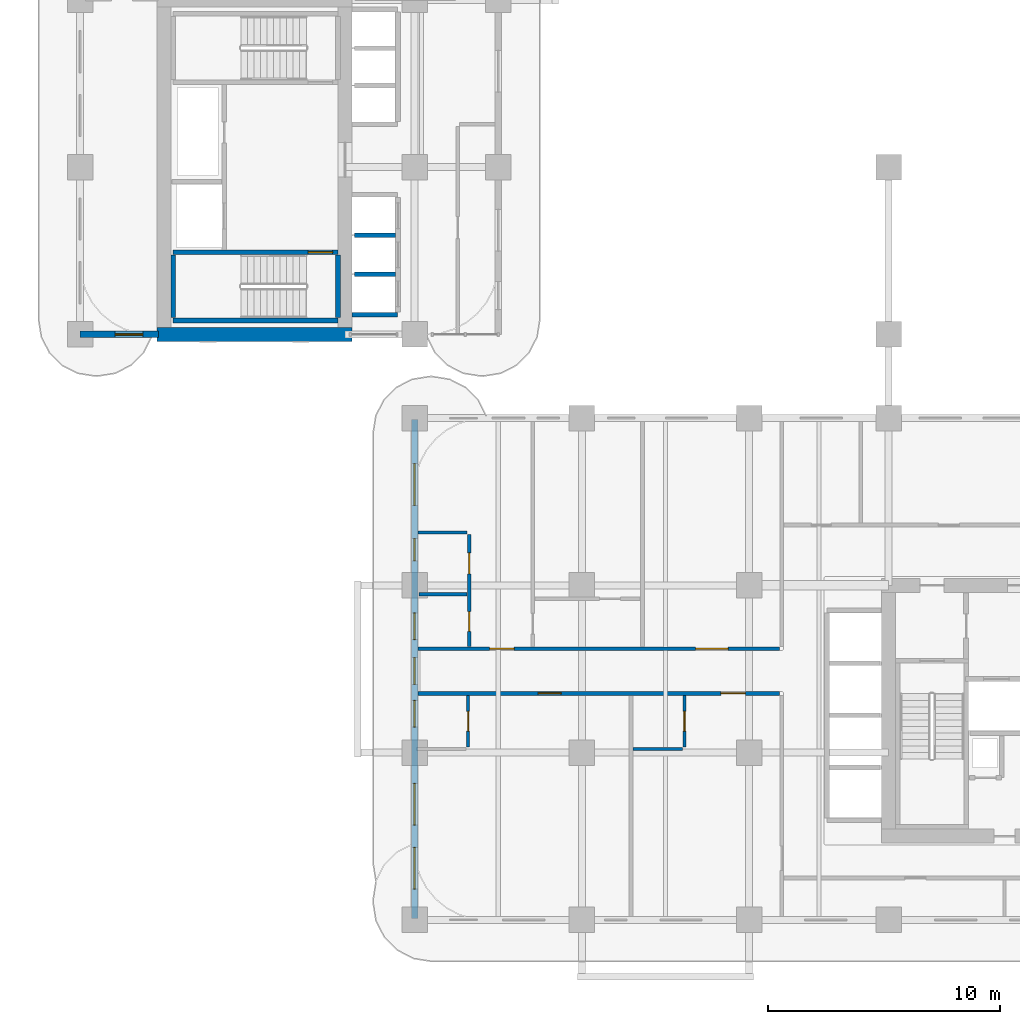
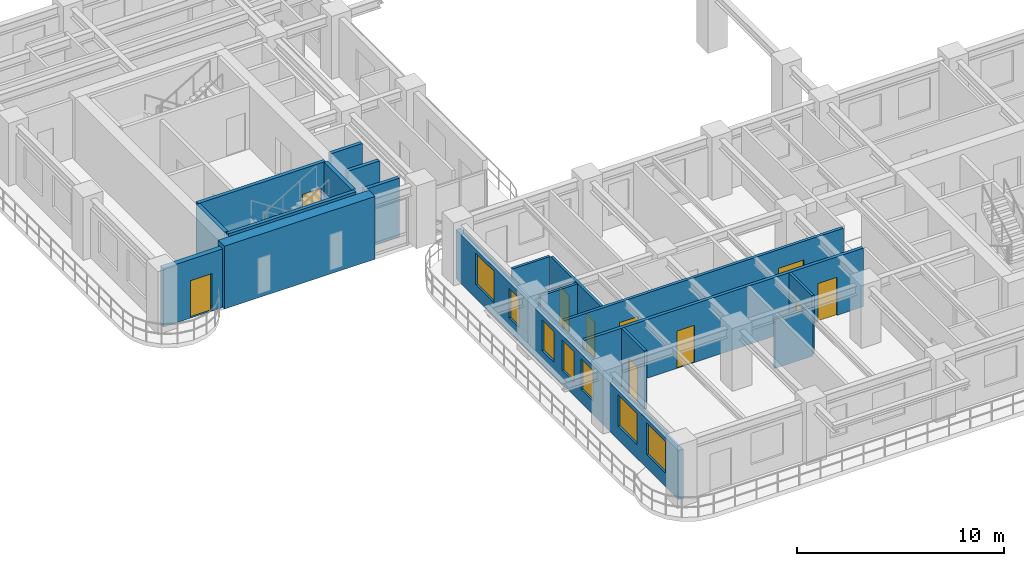
# One storey, part 6 of 19: 18 walls, 10 doors, 7 windows, 17 openings.
"""IFC4 building model written with IfcOpenShell, lengths in metres."""

from ifc_helpers import new_model, si_unit, derived_unit, direction, frame, frame_2d, origin, place, context, subcontext, project, spatial, rectangle, extrude, source, transform, mapped, material, layer, layer_set, type_object, type_shapes, element, fill, save


model = new_model("IFC4")

# Units and contexts
model_context = context("Model", 3, precision=1e-05, world=origin(), true_north=direction((0.0, 1.0)))
body_context = subcontext(model_context, "Body", "Model", "MODEL_VIEW")
ifc_project = project(units=[si_unit("LENGTHUNIT", "METRE"), si_unit("AREAUNIT", "SQUARE_METRE"), si_unit("VOLUMEUNIT", "CUBIC_METRE"), si_unit("PLANEANGLEUNIT", "RADIAN"), si_unit("MASSUNIT", "GRAM", prefix="KILO"), si_unit("THERMODYNAMICTEMPERATUREUNIT", "KELVIN"), si_unit("POWERUNIT", "WATT"), derived_unit("THERMALTRANSMITTANCEUNIT", [(si_unit("POWERUNIT", "WATT"), 1), (si_unit("AREAUNIT", "SQUARE_METRE"), -1), (si_unit("THERMODYNAMICTEMPERATUREUNIT", "KELVIN"), -1)])], contexts=[model_context])

# Site, building, storey
site_placement = place(None, origin())
site = spatial("IfcSite", under=ifc_project, at=site_placement, CompositionType="ELEMENT")
building_placement = place(site_placement, origin())
building = spatial("IfcBuilding", under=site, at=building_placement, Name="Zahravan Archway Hotel and Residences", CompositionType="ELEMENT")
storey_placement = place(building_placement, frame((0.0, 0.0, 43.5)))
storey = spatial("IfcBuildingStorey", under=building, at=storey_placement, Name="L09", CompositionType="ELEMENT", Elevation=43.5)

# Wall
ifc_material_1 = material(Name="Concrete C70/85", Category="concrete")
ifc_layer_1 = layer(ifc_material_1, 0.60009765625, Name="Concrete C70/85", Category="concrete")
ifc_layer_set_1 = layer_set([ifc_layer_1], Name="Concrete C70/85")
wall_type_1 = type_object("IfcWallType", Name="CW-CORE-600", PredefinedType="SHEAR", material=ifc_layer_set_1)
wall_1_placement = place(storey_placement, frame((3.300048828125, 25.199951171875, 0.0), z_axis=(0.0, 0.0, 1.0), x_axis=(1.0, 0.0, 0.0)))
element("IfcWall", 1, at=wall_1_placement, inside=storey, type_object=wall_type_1, Name="L09 Core B Shear S Wall 600 mm", PredefinedType="SHEAR", context=body_context, shape_type="SweptSolid", body=[
    extrude(rectangle(XDim=8.39990234375, YDim=0.60009765625, at=frame_2d((4.199951171875, 0.0))), origin(), (0.0, 0.0, 1.0), 3.699951171875),
])

# Wall, openings, windows
ifc_material_2 = material(Name="Honed Red-Ochre Sandstone & Insulated Block", Category="masonry")
ifc_layer_2 = layer(ifc_material_2, 0.280029296875, Name="Honed Red-Ochre Sandstone & Insulated Block", Category="masonry")
ifc_layer_set_2 = layer_set([ifc_layer_2], Name="Honed Red-Ochre Sandstone & Insulated Block")
wall_type_2 = type_object("IfcWallType", Name="EW-LOG-280", PredefinedType="SOLIDWALL", material=ifc_layer_set_2)
wall_2_placement = place(storey_placement, frame((14.39990234375, 0.050048828125, 0.0), z_axis=(0.0, 0.0, 1.0), x_axis=(0.0, 1.0, 0.0)))
wall_2 = element("IfcWall", 2, at=wall_2_placement, inside=storey, type_object=wall_type_2, Name="L09 Exterior Sandstone Wall WA-W", PredefinedType="SOLIDWALL", context=body_context, shape_type="SweptSolid", body=[
    extrude(rectangle(XDim=21.5, YDim=0.280029296875, at=frame_2d((10.75, 0.0))), origin(), (0.0, 0.0, 1.0), 2.885009765625),
])
opening_1_placement = place(wall_2_placement, frame((1.27490234375, 0.0, 0.800048828125)))
opening_1 = element("IfcOpeningElement", 3, at=opening_1_placement, cuts=wall_2, Name="Opening W-02", PredefinedType="OPENING", context=body_context, shape_type="SweptSolid", body=[
    extrude(rectangle(XDim=1.800048828125, YDim=1.85009765625, at=frame_2d((0.89990234375, 0.925048828125))), frame((0.0, 0.14990234375, 0.0), z_axis=(0.0, -1.0, 0.0), x_axis=(1.0, 0.0, 0.0)), (0.0, 0.0, 1.0), 0.300048828125),
])
opening_2_placement = place(wall_2_placement, frame((4.02490234375, 0.0, 0.800048828125)))
opening_2 = element("IfcOpeningElement", 4, at=opening_2_placement, cuts=wall_2, Name="Opening W-02", PredefinedType="OPENING", context=body_context, shape_type="SweptSolid", body=[
    extrude(rectangle(XDim=1.800048828125, YDim=1.85009765625, at=frame_2d((0.89990234375, 0.925048828125))), frame((0.0, 0.14990234375, 0.0), z_axis=(0.0, -1.0, 0.0), x_axis=(1.0, 0.0, 0.0)), (0.0, 0.0, 1.0), 0.300048828125),
])
opening_3_placement = place(wall_2_placement, frame((8.24609375, 0.0, 0.800048828125)))
opening_3 = element("IfcOpeningElement", 5, at=opening_3_placement, cuts=wall_2, Name="Opening W-05", PredefinedType="OPENING", context=body_context, shape_type="SweptSolid", body=[
    extrude(rectangle(XDim=1.14990234375, YDim=1.800048828125, at=frame_2d((0.574951171875, 0.89990234375))), frame((0.0, 0.14990234375, 0.0), z_axis=(0.0, -1.0, 0.0), x_axis=(1.0, 0.0, 0.0)), (0.0, 0.0, 1.0), 0.300048828125),
])
opening_4_placement = place(wall_2_placement, frame((10.0849609375, 0.0, 0.800048828125)))
opening_4 = element("IfcOpeningElement", 6, at=opening_4_placement, cuts=wall_2, Name="Opening W-05", PredefinedType="OPENING", context=body_context, shape_type="SweptSolid", body=[
    extrude(rectangle(XDim=1.14990234375, YDim=1.800048828125, at=frame_2d((0.574951171875, 0.89990234375))), frame((0.0, 0.14990234375, 0.0), z_axis=(0.0, -1.0, 0.0), x_axis=(1.0, 0.0, 0.0)), (0.0, 0.0, 1.0), 0.300048828125),
])
opening_5_placement = place(wall_2_placement, frame((12.013916015625, 0.0, 0.800048828125)))
opening_5 = element("IfcOpeningElement", 7, at=opening_5_placement, cuts=wall_2, Name="Opening W-05", PredefinedType="OPENING", context=body_context, shape_type="SweptSolid", body=[
    extrude(rectangle(XDim=1.14990234375, YDim=1.800048828125, at=frame_2d((0.574951171875, 0.89990234375))), frame((0.0, 0.14990234375, 0.0), z_axis=(0.0, -1.0, 0.0), x_axis=(1.0, 0.0, 0.0)), (0.0, 0.0, 1.0), 0.300048828125),
])
opening_6_placement = place(wall_2_placement, frame((15.406005859375, 0.0, 0.800048828125)))
opening_6 = element("IfcOpeningElement", 8, at=opening_6_placement, cuts=wall_2, Name="Opening W-04", PredefinedType="OPENING", context=body_context, shape_type="SweptSolid", body=[
    extrude(rectangle(XDim=0.949951171875, YDim=1.75, at=frame_2d((0.47509765625, 0.875))), frame((0.0, 0.14990234375, 0.0), z_axis=(0.0, -1.0, 0.0), x_axis=(1.0, 0.0, 0.0)), (0.0, 0.0, 1.0), 0.300048828125),
])
opening_7_placement = place(wall_2_placement, frame((17.7890625, 0.0, 0.800048828125)))
opening_7 = element("IfcOpeningElement", 9, at=opening_7_placement, cuts=wall_2, Name="Opening W-02", PredefinedType="OPENING", context=body_context, shape_type="SweptSolid", body=[
    extrude(rectangle(XDim=1.800048828125, YDim=1.85009765625, at=frame_2d((0.89990234375, 0.925048828125))), frame((0.0, 0.14990234375, 0.0), z_axis=(0.0, -1.0, 0.0), x_axis=(1.0, 0.0, 0.0)), (0.0, 0.0, 1.0), 0.300048828125),
])
ifc_material_3 = material(Name="Bronze-Anodized Thermal-Break Aluminium & Low-E Glass", Category="aluminium")
window_type_1 = type_object("IfcWindowType", Name="WIN-NAR-950", PartitioningType="SINGLE_PANEL", PredefinedType="WINDOW", material=ifc_material_3)
shared_shape_1 = source(origin(), body_context, "Body", "SweptSolid", [
    extrude(rectangle(XDim=0.949951171875, YDim=1.75, at=frame_2d((0.47509765625, 0.875))), frame((0.0, 0.030029296875, 0.0), z_axis=(0.0, -1.0, 0.0), x_axis=(1.0, 0.0, 0.0)), (0.0, 0.0, 1.0), 0.06005859375),
])
type_shapes(window_type_1, [shared_shape_1])
window_1_placement = place(opening_6_placement, origin())
window_1 = element("IfcWindow", 10, at=window_1_placement, inside=storey, type_object=window_type_1, Name="L09 Loggia Window 33", OverallHeight=1.75, OverallWidth=0.949951171875, PartitioningType="SINGLE_PANEL", PredefinedType="WINDOW", context=body_context, shape_type="MappedRepresentation", body=[
    mapped(shared_shape_1, transform((0.0, 0.0, 0.0), scale=1.0)),
])
fill(opening_6, window_1)
window_type_2 = type_object("IfcWindowType", Name="WIN-TWR-1800", PartitioningType="DOUBLE_PANEL_VERTICAL", PredefinedType="WINDOW", material=ifc_material_3)
shared_shape_2 = source(origin(), body_context, "Body", "SweptSolid", [
    extrude(rectangle(XDim=1.800048828125, YDim=1.85009765625, at=frame_2d((0.89990234375, 0.925048828125))), frame((0.0, 0.030029296875, 0.0), z_axis=(0.0, -1.0, 0.0), x_axis=(1.0, 0.0, 0.0)), (0.0, 0.0, 1.0), 0.06005859375),
])
type_shapes(window_type_2, [shared_shape_2])
window_2_placement = place(opening_1_placement, origin())
window_2 = element("IfcWindow", 11, at=window_2_placement, inside=storey, type_object=window_type_2, Name="L09 Loggia Window 28", OverallHeight=1.85009765625, OverallWidth=1.800048828125, PartitioningType="DOUBLE_PANEL_VERTICAL", PredefinedType="WINDOW", context=body_context, shape_type="MappedRepresentation", body=[
    mapped(shared_shape_2, transform((0.0, 0.0, 0.0), scale=1.0)),
])
fill(opening_1, window_2)
window_3_placement = place(opening_2_placement, origin())
window_3 = element("IfcWindow", 12, at=window_3_placement, inside=storey, type_object=window_type_2, Name="L09 Loggia Window 29", OverallHeight=1.85009765625, OverallWidth=1.800048828125, PartitioningType="DOUBLE_PANEL_VERTICAL", PredefinedType="WINDOW", context=body_context, shape_type="MappedRepresentation", body=[
    mapped(shared_shape_2, transform((0.0, 0.0, 0.0), scale=1.0)),
])
fill(opening_2, window_3)
window_4_placement = place(opening_7_placement, origin())
window_4 = element("IfcWindow", 13, at=window_4_placement, inside=storey, type_object=window_type_2, Name="L09 Loggia Window 34", OverallHeight=1.85009765625, OverallWidth=1.800048828125, PartitioningType="DOUBLE_PANEL_VERTICAL", PredefinedType="WINDOW", context=body_context, shape_type="MappedRepresentation", body=[
    mapped(shared_shape_2, transform((0.0, 0.0, 0.0), scale=1.0)),
])
fill(opening_7, window_4)
window_type_3 = type_object("IfcWindowType", Name="WIN-TWR-1150", PartitioningType="SINGLE_PANEL", PredefinedType="WINDOW", material=ifc_material_3)
shared_shape_3 = source(origin(), body_context, "Body", "SweptSolid", [
    extrude(rectangle(XDim=1.14990234375, YDim=1.800048828125, at=frame_2d((0.574951171875, 0.89990234375))), frame((0.0, 0.030029296875, 0.0), z_axis=(0.0, -1.0, 0.0), x_axis=(1.0, 0.0, 0.0)), (0.0, 0.0, 1.0), 0.06005859375),
])
type_shapes(window_type_3, [shared_shape_3])
window_5_placement = place(opening_3_placement, origin())
window_5 = element("IfcWindow", 14, at=window_5_placement, inside=storey, type_object=window_type_3, Name="L09 Loggia Window 30", OverallHeight=1.800048828125, OverallWidth=1.14990234375, PartitioningType="SINGLE_PANEL", PredefinedType="WINDOW", context=body_context, shape_type="MappedRepresentation", body=[
    mapped(shared_shape_3, transform((0.0, 0.0, 0.0), scale=1.0)),
])
fill(opening_3, window_5)
window_6_placement = place(opening_4_placement, origin())
window_6 = element("IfcWindow", 15, at=window_6_placement, inside=storey, type_object=window_type_3, Name="L09 Loggia Window 31", OverallHeight=1.800048828125, OverallWidth=1.14990234375, PartitioningType="SINGLE_PANEL", PredefinedType="WINDOW", context=body_context, shape_type="MappedRepresentation", body=[
    mapped(shared_shape_3, transform((0.0, 0.0, 0.0), scale=1.0)),
])
fill(opening_4, window_6)
window_7_placement = place(opening_5_placement, origin())
window_7 = element("IfcWindow", 16, at=window_7_placement, inside=storey, type_object=window_type_3, Name="L09 Loggia Window 32", OverallHeight=1.800048828125, OverallWidth=1.14990234375, PartitioningType="SINGLE_PANEL", PredefinedType="WINDOW", context=body_context, shape_type="MappedRepresentation", body=[
    mapped(shared_shape_3, transform((0.0, 0.0, 0.0), scale=1.0)),
])
fill(opening_5, window_7)

# Wall, opening, door
wall_3_placement = place(storey_placement, frame((0.0, 25.199951171875, 0.0), z_axis=(0.0, 0.0, 1.0), x_axis=(1.0, 0.0, 0.0)))
wall_3 = element("IfcWall", 17, at=wall_3_placement, inside=storey, type_object=wall_type_2, Name="L09 Exterior Sandstone Wall WB-SW", PredefinedType="SOLIDWALL", context=body_context, shape_type="SweptSolid", body=[
    extrude(rectangle(XDim=3.3798828125, YDim=0.280029296875, at=frame_2d((1.68994140625, 0.0))), origin(), (0.0, 0.0, 1.0), 3.449951171875),
])
opening_8_placement = place(wall_3_placement, frame((1.5, 0.0, 0.0)))
opening_8 = element("IfcOpeningElement", 18, at=opening_8_placement, cuts=wall_3, Name="Opening ED-BL1", PredefinedType="OPENING", context=body_context, shape_type="SweptSolid", body=[
    extrude(rectangle(XDim=1.199951171875, YDim=2.199951171875, at=frame_2d((0.60009765625, 1.10009765625))), frame((0.0, 0.14990234375, 0.0), z_axis=(0.0, -1.0, 0.0), x_axis=(1.0, 0.0, 0.0)), (0.0, 0.0, 1.0), 0.300048828125),
])
ifc_material_4 = material(Name="Bronze-Anodized Glazed Aluminium", Category="aluminium")
door_type_1 = type_object("IfcDoorType", Name="ED-BALC-1200", OperationType="SLIDING_TO_LEFT", PredefinedType="DOOR", material=ifc_material_4)
shared_shape_4 = source(origin(), body_context, "Body", "SweptSolid", [
    extrude(rectangle(XDim=1.199951171875, YDim=2.199951171875, at=frame_2d((0.60009765625, 1.10009765625))), frame((0.0, 0.02490234375, 0.0), z_axis=(0.0, -1.0, 0.0), x_axis=(1.0, 0.0, 0.0)), (0.0, 0.0, 1.0), 0.050048828125),
])
type_shapes(door_type_1, [shared_shape_4])
door_1_placement = place(opening_8_placement, origin())
door_1 = element("IfcDoor", 19, at=door_1_placement, inside=storey, type_object=door_type_1, Name="L09 Outdoor Access Sliding Door (SLB-BAL-L09-WB)", OperationType="SLIDING_TO_LEFT", OverallHeight=2.199951171875, OverallWidth=1.199951171875, PredefinedType="DOOR", context=body_context, shape_type="MappedRepresentation", body=[
    mapped(shared_shape_4, transform((0.0, 0.0, 0.0), scale=1.0)),
])
fill(opening_8, door_1)

# Wall, openings, doors
ifc_material_5 = material(Name="Fire-Rated Gypsum & Concrete Block", Category="concrete")
ifc_layer_3 = layer(ifc_material_5, 0.159912109375, Name="Fire-Rated Gypsum & Concrete Block", Category="concrete")
ifc_layer_set_3 = layer_set([ifc_layer_3], Name="Fire-Rated Gypsum & Concrete Block")
wall_type_3 = type_object("IfcWallType", Name="PW-CORR-160", PredefinedType="PARTITIONING", material=ifc_layer_set_3)
wall_4_placement = place(storey_placement, frame((14.548095703125, 11.669921875, 0.0), z_axis=(0.0, 0.0, 1.0), x_axis=(1.0, 0.0, 0.0)))
wall_4 = element("IfcWall", 20, at=wall_4_placement, inside=storey, type_object=wall_type_3, Name="L09 Partition WA-CN", PredefinedType="PARTITIONING", context=body_context, shape_type="SweptSolid", body=[
    extrude(rectangle(XDim=15.56201171875, YDim=0.159912109375, at=frame_2d((7.781005859375, 0.0))), origin(), (0.0, 0.0, 1.0), 3.449951171875),
])
opening_9_placement = place(wall_4_placement, frame((3.08203125, 0.0, 0.0)))
opening_9 = element("IfcOpeningElement", 21, at=opening_9_placement, cuts=wall_4, Name="Opening D-U1", PredefinedType="OPENING", context=body_context, shape_type="SweptSolid", body=[
    extrude(rectangle(XDim=1.050048828125, YDim=2.25, at=frame_2d((0.52490234375, 1.125))), frame((0.0, 0.08984375, 0.0), z_axis=(0.0, -1.0, 0.0), x_axis=(1.0, 0.0, 0.0)), (0.0, 0.0, 1.0), 0.179931640625),
])
opening_10_placement = place(wall_4_placement, frame((11.951904296875, 0.0, 0.0)))
opening_10 = element("IfcOpeningElement", 22, at=opening_10_placement, cuts=wall_4, Name="Opening D-P1", PredefinedType="OPENING", context=body_context, shape_type="SweptSolid", body=[
    extrude(rectangle(XDim=1.39990234375, YDim=2.35009765625, at=frame_2d((0.699951171875, 1.175048828125))), frame((0.0, 0.08984375, 0.0), z_axis=(0.0, -1.0, 0.0), x_axis=(1.0, 0.0, 0.0)), (0.0, 0.0, 1.0), 0.179931640625),
])
door_type_2 = type_object("IfcDoorType", Name="ID-PUBLIC-1400", OperationType="DOUBLE_DOOR_SINGLE_SWING", PredefinedType="DOOR", material=ifc_material_4)
shared_shape_5 = source(origin(), body_context, "Body", "SweptSolid", [
    extrude(rectangle(XDim=1.39990234375, YDim=2.35009765625, at=frame_2d((0.699951171875, 1.175048828125))), frame((0.0, 0.02490234375, 0.0), z_axis=(0.0, -1.0, 0.0), x_axis=(1.0, 0.0, 0.0)), (0.0, 0.0, 1.0), 0.050048828125),
])
type_shapes(door_type_2, [shared_shape_5])
door_2_placement = place(opening_10_placement, origin())
door_2 = element("IfcDoor", 23, at=door_2_placement, inside=storey, type_object=door_type_2, Name="L09 Portal Majlis Door", OperationType="DOUBLE_DOOR_SINGLE_SWING", OverallHeight=2.35009765625, OverallWidth=1.39990234375, PredefinedType="DOOR", context=body_context, shape_type="MappedRepresentation", body=[
    mapped(shared_shape_5, transform((0.0, 0.0, 0.0), scale=1.0)),
])
fill(opening_10, door_2)
ifc_material_6 = material(Name="Hardwood Veneer Timber", Category="wood")
door_type_3 = type_object("IfcDoorType", Name="ID-UNIT-1050", OperationType="NOTDEFINED", PredefinedType="DOOR", material=ifc_material_6)
shared_shape_6 = source(origin(), body_context, "Body", "SweptSolid", [
    extrude(rectangle(XDim=1.050048828125, YDim=2.25, at=frame_2d((0.52490234375, 1.125))), frame((0.0, 0.02490234375, 0.0), z_axis=(0.0, -1.0, 0.0), x_axis=(1.0, 0.0, 0.0)), (0.0, 0.0, 1.0), 0.050048828125),
])
type_shapes(door_type_3, [shared_shape_6])
door_3_placement = place(opening_9_placement, origin())
door_3 = element("IfcDoor", 24, at=door_3_placement, inside=storey, type_object=door_type_3, Name="L09 Flat PN1 Entrance Door", OperationType="SINGLE_SWING_RIGHT", OverallHeight=2.25, OverallWidth=1.050048828125, PredefinedType="DOOR", context=body_context, shape_type="MappedRepresentation", body=[
    mapped(shared_shape_6, transform((0.0, 0.0, 0.0), scale=1.0)),
])
fill(opening_9, door_3)

ifc_layer_4 = layer(ifc_material_5, 0.179931640625, Name="Fire-Rated Gypsum & Concrete Block", Category="concrete")
ifc_layer_set_4 = layer_set([ifc_layer_4], Name="Fire-Rated Gypsum & Concrete Block")
wall_type_4 = type_object("IfcWallType", Name="PW-CORR-180", PredefinedType="PARTITIONING", material=ifc_layer_set_4)
wall_5_placement = place(storey_placement, frame((14.548095703125, 9.75, 0.0), z_axis=(0.0, 0.0, 1.0), x_axis=(1.0, 0.0, 0.0)))
wall_5 = element("IfcWall", 25, at=wall_5_placement, inside=storey, type_object=wall_type_4, Name="L09 Partition WA-CS", PredefinedType="PARTITIONING", context=body_context, shape_type="SweptSolid", body=[
    extrude(rectangle(XDim=15.56201171875, YDim=0.179931640625, at=frame_2d((7.781005859375, 0.0))), origin(), (0.0, 0.0, 1.0), 3.449951171875),
])
opening_11_placement = place(wall_5_placement, frame((5.162109375, 0.0, 0.0)))
opening_11 = element("IfcOpeningElement", 26, at=opening_11_placement, cuts=wall_5, Name="Opening D-U2", PredefinedType="OPENING", context=body_context, shape_type="SweptSolid", body=[
    extrude(rectangle(XDim=1.0, YDim=2.199951171875, at=frame_2d((0.5, 1.10009765625))), frame((0.0, 0.10009765625, 0.0), z_axis=(0.0, -1.0, 0.0), x_axis=(1.0, 0.0, 0.0)), (0.0, 0.0, 1.0), 0.199951171875),
])
opening_12_placement = place(wall_5_placement, frame((13.037109375, 0.0, 0.0)))
opening_12 = element("IfcOpeningElement", 27, at=opening_12_placement, cuts=wall_5, Name="Opening D-U1", PredefinedType="OPENING", context=body_context, shape_type="SweptSolid", body=[
    extrude(rectangle(XDim=1.050048828125, YDim=2.25, at=frame_2d((0.52490234375, 1.125))), frame((0.0, 0.10009765625, 0.0), z_axis=(0.0, -1.0, 0.0), x_axis=(1.0, 0.0, 0.0)), (0.0, 0.0, 1.0), 0.199951171875),
])
door_4_placement = place(opening_12_placement, origin())
door_4 = element("IfcDoor", 28, at=door_4_placement, inside=storey, type_object=door_type_3, Name="L09 Hotel Guestroom 12 Entrance Door", OperationType="SINGLE_SWING_LEFT", OverallHeight=2.25, OverallWidth=1.050048828125, PredefinedType="DOOR", context=body_context, shape_type="MappedRepresentation", body=[
    mapped(shared_shape_6, transform((0.0, 0.0, 0.0), scale=1.0)),
])
fill(opening_12, door_4)
door_type_4 = type_object("IfcDoorType", Name="ID-UNIT-1000", OperationType="NOTDEFINED", PredefinedType="DOOR", material=ifc_material_6)
shared_shape_7 = source(origin(), body_context, "Body", "SweptSolid", [
    extrude(rectangle(XDim=1.0, YDim=2.199951171875, at=frame_2d((0.5, 1.10009765625))), frame((0.0, 0.02490234375, 0.0), z_axis=(0.0, -1.0, 0.0), x_axis=(1.0, 0.0, 0.0)), (0.0, 0.0, 1.0), 0.050048828125),
])
type_shapes(door_type_4, [shared_shape_7])
door_5_placement = place(opening_11_placement, origin())
door_5 = element("IfcDoor", 29, at=door_5_placement, inside=storey, type_object=door_type_4, Name="L09 Hotel Guestroom 11 Entrance Door", OperationType="SINGLE_SWING_LEFT", OverallHeight=2.199951171875, OverallWidth=1.0, PredefinedType="DOOR", context=body_context, shape_type="MappedRepresentation", body=[
    mapped(shared_shape_7, transform((0.0, 0.0, 0.0), scale=1.0)),
])
fill(opening_11, door_5)

# Walls
ifc_layer_5 = layer(ifc_material_5, 0.199951171875, Name="Fire-Rated Gypsum & Concrete Block", Category="concrete")
ifc_layer_set_5 = layer_set([ifc_layer_5], Name="Fire-Rated Gypsum & Concrete Block")
wall_type_5 = type_object("IfcWallType", Name="PW-SHAFT-200", PredefinedType="PARTITIONING", material=ifc_layer_set_5)
wall_6_placement = place(storey_placement, frame((11.7099609375, 26.050048828125, 0.0), z_axis=(0.0, 0.0, 1.0), x_axis=(1.0, 0.0, 0.0)))
element("IfcWall", 30, at=wall_6_placement, inside=storey, type_object=wall_type_5, Name="L09 Partition B1-S", PredefinedType="PARTITIONING", context=body_context, shape_type="SweptSolid", body=[
    extrude(rectangle(XDim=1.9599609375, YDim=0.199951171875, at=frame_2d((0.97998046875, 0.0))), origin(), (0.0, 0.0, 1.0), 3.449951171875),
])
for number, where, z_axis, x_axis, name in (
    (31, (11.81005859375, 27.7900390625, 0.0), (0.0, 0.0, 1.0), (1.0, 0.0, 0.0), "L09 Partition B1-D"),
    (32, (11.81005859375, 29.469970703125, 0.0), (0.0, 0.0, 1.0), (1.0, 0.0, 0.0), "L09 Partition B1-D"),
):
    element("IfcWall", number, at=place(storey_placement, frame(where, z_axis=z_axis, x_axis=x_axis)), inside=storey, type_object=wall_type_5, Name=name, PredefinedType="PARTITIONING", context=body_context, shape_type="SweptSolid", body=[
        extrude(rectangle(XDim=1.760009765625, YDim=0.199951171875, at=frame_2d((0.8798828125, 0.0))), origin(), (0.0, 0.0, 1.0), 3.449951171875),
    ])

# Wall, opening, door
ifc_material_7 = material(Name="Moisture-Resistant Blockwork", Category="masonry")
ifc_layer_6 = layer(ifc_material_7, 0.139892578125, Name="Moisture-Resistant Blockwork", Category="masonry")
ifc_layer_set_6 = layer_set([ifc_layer_6], Name="Moisture-Resistant Blockwork")
wall_type_6 = type_object("IfcWallType", Name="PW-WET-140", PredefinedType="PARTITIONING", material=ifc_layer_set_6)
wall_7_placement = place(storey_placement, frame((16.699951171875, 7.43994140625, 0.0), z_axis=(0.0, 0.0, 1.0), x_axis=(0.0, 1.0, 0.0)))
wall_7 = element("IfcWall", 33, at=wall_7_placement, inside=storey, type_object=wall_type_6, Name="L09 Partition HKB-V11", PredefinedType="PARTITIONING", context=body_context, shape_type="SweptSolid", body=[
    extrude(rectangle(XDim=2.219970703125, YDim=0.139892578125, at=frame_2d((1.10986328125, 0.0))), origin(), (0.0, 0.0, 1.0), 3.449951171875),
])
opening_13_placement = place(wall_7_placement, frame((0.68505859375, 0.0, 0.0)))
opening_13 = element("IfcOpeningElement", 34, at=opening_13_placement, cuts=wall_7, Name="Opening D-B1", PredefinedType="OPENING", context=body_context, shape_type="SweptSolid", body=[
    extrude(rectangle(XDim=0.85009765625, YDim=2.10009765625, at=frame_2d((0.425048828125, 1.050048828125))), frame((0.0, 0.080078125, 0.0), z_axis=(0.0, -1.0, 0.0), x_axis=(1.0, 0.0, 0.0)), (0.0, 0.0, 1.0), 0.159912109375),
])
door_type_5 = type_object("IfcDoorType", Name="ID-BATH-850", OperationType="NOTDEFINED", PredefinedType="DOOR", material=ifc_material_6)
shared_shape_8 = source(origin(), body_context, "Body", "SweptSolid", [
    extrude(rectangle(XDim=0.85009765625, YDim=2.10009765625, at=frame_2d((0.425048828125, 1.050048828125))), frame((0.0, 0.02490234375, 0.0), z_axis=(0.0, -1.0, 0.0), x_axis=(1.0, 0.0, 0.0)), (0.0, 0.0, 1.0), 0.050048828125),
])
type_shapes(door_type_5, [shared_shape_8])
door_6_placement = place(opening_13_placement, origin())
door_6 = element("IfcDoor", 35, at=door_6_placement, inside=storey, type_object=door_type_5, Name="L09 Guestroom 11 En-Suite Door", OperationType="SINGLE_SWING_RIGHT", OverallHeight=2.10009765625, OverallWidth=0.85009765625, PredefinedType="DOOR", context=body_context, shape_type="MappedRepresentation", body=[
    mapped(shared_shape_8, transform((0.0, 0.0, 0.0), scale=1.0)),
])
fill(opening_13, door_6)

wall_8_placement = place(storey_placement, frame((26.02001953125, 7.43994140625, 0.0), z_axis=(0.0, 0.0, 1.0), x_axis=(0.0, 1.0, 0.0)))
wall_8 = element("IfcWall", 36, at=wall_8_placement, inside=storey, type_object=wall_type_6, Name="L09 Partition HKB-V12", PredefinedType="PARTITIONING", context=body_context, shape_type="SweptSolid", body=[
    extrude(rectangle(XDim=2.219970703125, YDim=0.139892578125, at=frame_2d((1.10986328125, 0.0))), origin(), (0.0, 0.0, 1.0), 3.449951171875),
])
opening_14_placement = place(wall_8_placement, frame((0.68505859375, 0.0, 0.0)))
opening_14 = element("IfcOpeningElement", 37, at=opening_14_placement, cuts=wall_8, Name="Opening D-B1", PredefinedType="OPENING", context=body_context, shape_type="SweptSolid", body=[
    extrude(rectangle(XDim=0.85009765625, YDim=2.10009765625, at=frame_2d((0.425048828125, 1.050048828125))), frame((0.0, 0.080078125, 0.0), z_axis=(0.0, -1.0, 0.0), x_axis=(1.0, 0.0, 0.0)), (0.0, 0.0, 1.0), 0.159912109375),
])
door_7_placement = place(opening_14_placement, origin())
door_7 = element("IfcDoor", 38, at=door_7_placement, inside=storey, type_object=door_type_5, Name="L09 Guestroom 12 En-Suite Door", OperationType="SINGLE_SWING_RIGHT", OverallHeight=2.10009765625, OverallWidth=0.85009765625, PredefinedType="DOOR", context=body_context, shape_type="MappedRepresentation", body=[
    mapped(shared_shape_8, transform((0.0, 0.0, 0.0), scale=1.0)),
])
fill(opening_14, door_7)

# Wall
wall_9_placement = place(storey_placement, frame((23.81005859375, 7.35009765625, 0.0), z_axis=(0.0, 0.0, 1.0), x_axis=(1.0, 0.0, 0.0)))
element("IfcWall", 39, at=wall_9_placement, inside=storey, type_object=wall_type_6, Name="L09 Partition HKB-H12", PredefinedType="PARTITIONING", context=body_context, shape_type="SweptSolid", body=[
    extrude(rectangle(XDim=2.119873046875, YDim=0.139892578125, at=frame_2d((1.06005859375, 0.0))), origin(), (0.0, 0.0, 1.0), 2.885009765625),
])

# Wall, openings, doors
wall_10_placement = place(storey_placement, frame((16.75, 11.760009765625, 0.0), z_axis=(0.0, 0.0, 1.0), x_axis=(0.0, 1.0, 0.0)))
wall_10 = element("IfcWall", 40, at=wall_10_placement, inside=storey, type_object=wall_type_6, Name="L09 Partition FL-PN1-BV", PredefinedType="PARTITIONING", context=body_context, shape_type="SweptSolid", body=[
    extrude(rectangle(XDim=4.820068359375, YDim=0.139892578125, at=frame_2d((2.41015625, 0.0))), origin(), (0.0, 0.0, 1.0), 3.449951171875),
])
opening_15_placement = place(wall_10_placement, frame((0.659912109375, 0.0, 0.0)))
opening_15 = element("IfcOpeningElement", 41, at=opening_15_placement, cuts=wall_10, Name="Opening D-B1", PredefinedType="OPENING", context=body_context, shape_type="SweptSolid", body=[
    extrude(rectangle(XDim=0.85009765625, YDim=2.10009765625, at=frame_2d((0.425048828125, 1.050048828125))), frame((0.0, 0.080078125, 0.0), z_axis=(0.0, -1.0, 0.0), x_axis=(1.0, 0.0, 0.0)), (0.0, 0.0, 1.0), 0.159912109375),
])
opening_16_placement = place(wall_10_placement, frame((3.135009765625, 0.0, 0.0)))
opening_16 = element("IfcOpeningElement", 42, at=opening_16_placement, cuts=wall_10, Name="Opening D-I2", PredefinedType="OPENING", context=body_context, shape_type="SweptSolid", body=[
    extrude(rectangle(XDim=0.89990234375, YDim=2.14990234375, at=frame_2d((0.449951171875, 1.074951171875))), frame((0.0, 0.080078125, 0.0), z_axis=(0.0, -1.0, 0.0), x_axis=(1.0, 0.0, 0.0)), (0.0, 0.0, 1.0), 0.159912109375),
])
door_8_placement = place(opening_15_placement, origin())
door_8 = element("IfcDoor", 43, at=door_8_placement, inside=storey, type_object=door_type_5, Name="L09 Flat PN1 Bathroom Door", OperationType="SINGLE_SWING_RIGHT", OverallHeight=2.10009765625, OverallWidth=0.85009765625, PredefinedType="DOOR", context=body_context, shape_type="MappedRepresentation", body=[
    mapped(shared_shape_8, transform((0.0, 0.0, 0.0), scale=1.0)),
])
fill(opening_15, door_8)
door_type_6 = type_object("IfcDoorType", Name="ID-INT-900", OperationType="NOTDEFINED", PredefinedType="DOOR", material=ifc_material_6)
shared_shape_9 = source(origin(), body_context, "Body", "SweptSolid", [
    extrude(rectangle(XDim=0.89990234375, YDim=2.14990234375, at=frame_2d((0.449951171875, 1.074951171875))), frame((0.0, 0.02490234375, 0.0), z_axis=(0.0, -1.0, 0.0), x_axis=(1.0, 0.0, 0.0)), (0.0, 0.0, 1.0), 0.050048828125),
])
type_shapes(door_type_6, [shared_shape_9])
door_9_placement = place(opening_16_placement, origin())
door_9 = element("IfcDoor", 44, at=door_9_placement, inside=storey, type_object=door_type_6, Name="L09 Flat PN1 Kitchen Door", OperationType="SINGLE_SWING_LEFT", OverallHeight=2.14990234375, OverallWidth=0.89990234375, PredefinedType="DOOR", context=body_context, shape_type="MappedRepresentation", body=[
    mapped(shared_shape_9, transform((0.0, 0.0, 0.0), scale=1.0)),
])
fill(opening_16, door_9)

# Walls
wall_11_placement = place(storey_placement, frame((14.590087890625, 14.02001953125, 0.0), z_axis=(0.0, 0.0, 1.0), x_axis=(1.0, 0.0, 0.0)))
element("IfcWall", 45, at=wall_11_placement, inside=storey, type_object=wall_type_6, Name="L09 Partition FL-PN1-BM", PredefinedType="PARTITIONING", context=body_context, shape_type="SweptSolid", body=[
    extrude(rectangle(XDim=2.06982421875, YDim=0.139892578125, at=frame_2d((1.034912109375, 0.0))), origin(), (0.0, 0.0, 1.0), 3.449951171875),
])
wall_12_placement = place(storey_placement, frame((14.548095703125, 16.669921875, 0.0), z_axis=(0.0, 0.0, 1.0), x_axis=(1.0, 0.0, 0.0)))
element("IfcWall", 46, at=wall_12_placement, inside=storey, type_object=wall_type_6, Name="L09 Partition FL-PN1-KH", PredefinedType="PARTITIONING", context=body_context, shape_type="SweptSolid", body=[
    extrude(rectangle(XDim=2.11181640625, YDim=0.139892578125, at=frame_2d((1.055908203125, 0.0))), origin(), (0.0, 0.0, 1.0), 3.449951171875),
])
ifc_material_8 = material(Name="Concrete C50/60", Category="concrete")
ifc_layer_7 = layer(ifc_material_8, 0.199951171875, Name="Concrete C50/60", Category="concrete")
ifc_layer_set_7 = layer_set([ifc_layer_7], Name="Concrete C50/60")
wall_type_7 = type_object("IfcWallType", Name="SW-STAIR-200", PredefinedType="SHEAR", material=ifc_layer_set_7)
wall_13_placement = place(storey_placement, frame((4.0, 25.800048828125, 0.0), z_axis=(0.0, 0.0, 1.0), x_axis=(1.0, 0.0, 0.0)))
element("IfcWall", 47, at=wall_13_placement, inside=storey, type_object=wall_type_7, Name="L09 Stairwell RC Wall CB-SB1S", PredefinedType="SHEAR", context=body_context, shape_type="SweptSolid", body=[
    extrude(rectangle(XDim=7.10009765625, YDim=0.199951171875, at=frame_2d((3.550048828125, 0.0))), origin(), (0.0, 0.0, 1.0), 3.699951171875),
])
for number, where, z_axis, x_axis, name in (
    (48, (4.0, 25.919921875, 0.0), (0.0, 0.0, 1.0), (0.0, 1.0, 0.0), "L09 Stairwell RC Wall CB-SB1W"),
    (49, (11.10009765625, 25.919921875, 0.0), (0.0, 0.0, 1.0), (0.0, 1.0, 0.0), "L09 Stairwell RC Wall CB-SB1E"),
):
    element("IfcWall", number, at=place(storey_placement, frame(where, z_axis=z_axis, x_axis=x_axis)), inside=storey, type_object=wall_type_7, Name=name, PredefinedType="SHEAR", context=body_context, shape_type="SweptSolid", body=[
        extrude(rectangle(XDim=2.7001953125, YDim=0.199951171875, at=frame_2d((1.35009765625, 0.0))), origin(), (0.0, 0.0, 1.0), 3.699951171875),
    ])

# Wall, opening, door
wall_14_placement = place(storey_placement, frame((4.0, 28.739990234375, 0.0), z_axis=(0.0, 0.0, 1.0), x_axis=(1.0, 0.0, 0.0)))
wall_14 = element("IfcWall", 50, at=wall_14_placement, inside=storey, type_object=wall_type_7, Name="L09 Stairwell RC Wall CB-SB1N", PredefinedType="SHEAR", context=body_context, shape_type="SweptSolid", body=[
    extrude(rectangle(XDim=7.10009765625, YDim=0.199951171875, at=frame_2d((3.550048828125, 0.0))), origin(), (0.0, 0.0, 1.0), 3.699951171875),
])
opening_17_placement = place(wall_14_placement, frame((5.81494140625, 0.0, 0.0)))
opening_17 = element("IfcOpeningElement", 51, at=opening_17_placement, cuts=wall_14, Name="Opening FD-S1", PredefinedType="OPENING", context=body_context, shape_type="SweptSolid", body=[
    extrude(rectangle(XDim=1.050048828125, YDim=2.199951171875, at=frame_2d((0.52490234375, 1.10009765625))), frame((0.0, 0.10986328125, 0.0), z_axis=(0.0, -1.0, 0.0), x_axis=(1.0, 0.0, 0.0)), (0.0, 0.0, 1.0), 0.219970703125),
])
ifc_material_9 = material(Name="Fire-Rated Painted Steel", Category="steel")
door_type_7 = type_object("IfcDoorType", Name="FD-STAIR-1100", OperationType="NOTDEFINED", PredefinedType="DOOR", material=ifc_material_9)
shared_shape_10 = source(origin(), body_context, "Body", "SweptSolid", [
    extrude(rectangle(XDim=1.050048828125, YDim=2.199951171875, at=frame_2d((0.52490234375, 1.10009765625))), frame((0.0, 0.02490234375, 0.0), z_axis=(0.0, -1.0, 0.0), x_axis=(1.0, 0.0, 0.0)), (0.0, 0.0, 1.0), 0.050048828125),
])
type_shapes(door_type_7, [shared_shape_10])
door_10_placement = place(opening_17_placement, origin())
door_10 = element("IfcDoor", 52, at=door_10_placement, inside=storey, type_object=door_type_7, Name="L09 Stair ST-B1 Door", OperationType="SINGLE_SWING_RIGHT", OverallHeight=2.199951171875, OverallWidth=1.050048828125, PredefinedType="DOOR", context=body_context, shape_type="MappedRepresentation", body=[
    mapped(shared_shape_10, transform((0.0, 0.0, 0.0), scale=1.0)),
])
fill(opening_17, door_10)

save(model, "model.ifc")
